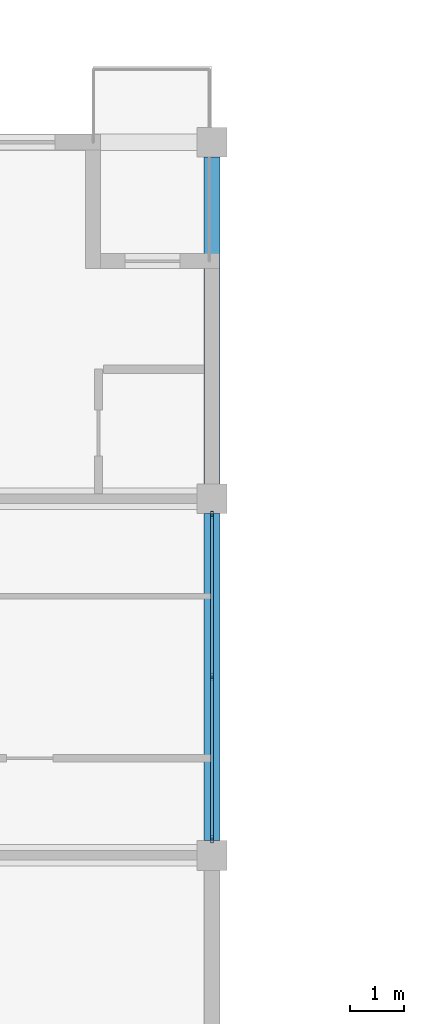
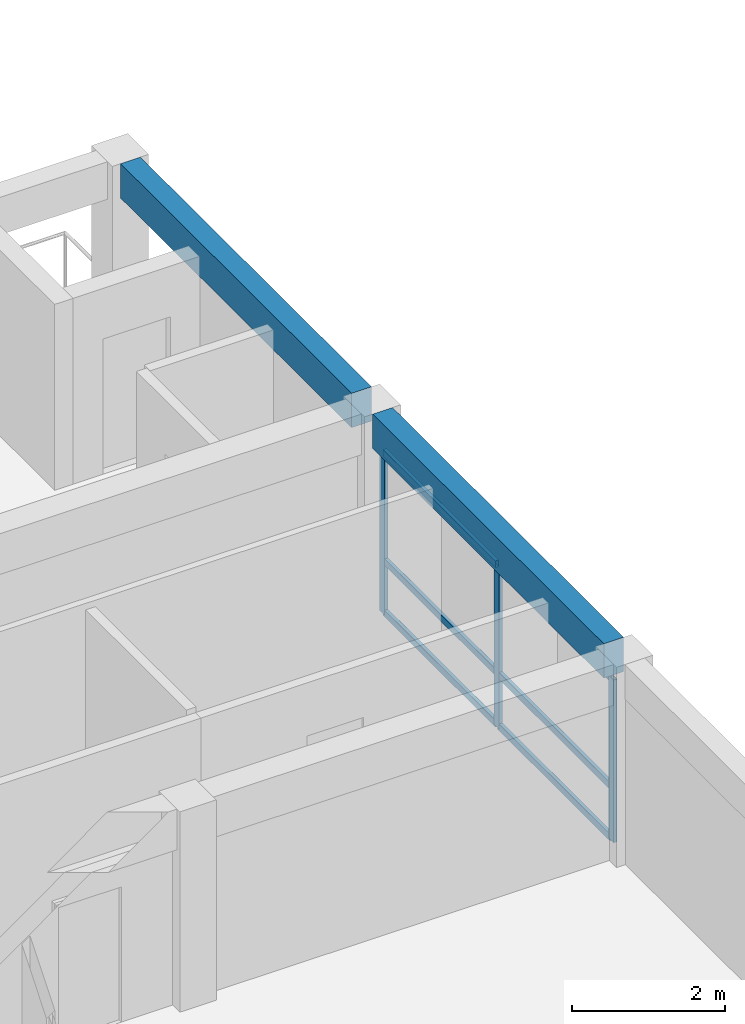
# One storey, part 17 of 49: 9 members, 2 beams, 1 element without a shape of its own.
"""IFC4 building model written with IfcOpenShell, lengths in metres."""

from ifc_helpers import new_model, si_unit, direction, frame, origin, origin_2d, place, context, subcontext, project, spatial, rectangle, hollow_rectangle, extrude, material, material_profile, profile_set, type_object, element, aggregate, save


model = new_model("IFC4")

# Units and contexts
model_context = context("Model", 3, precision=1e-05, world=origin(), true_north=direction((0.0, 1.0)))
body_context = subcontext(model_context, "Body", "Model", "MODEL_VIEW")
ifc_project = project(units=[si_unit("LENGTHUNIT", "METRE"), si_unit("AREAUNIT", "SQUARE_METRE"), si_unit("VOLUMEUNIT", "CUBIC_METRE"), si_unit("PLANEANGLEUNIT", "RADIAN"), si_unit("MASSUNIT", "GRAM", prefix="KILO")], contexts=[model_context])

# Site, building, storey
site_placement = place(None, origin())
site = spatial("IfcSite", under=ifc_project, at=site_placement, CompositionType="ELEMENT")
building_placement = place(site_placement, origin())
building = spatial("IfcBuilding", under=site, at=building_placement, Name="Kernevlak Ridge Housing Community", CompositionType="ELEMENT")
storey_placement = place(building_placement, frame((0.0, 0.0, 30.800048828125)))
storey = spatial("IfcBuildingStorey", under=building, at=storey_placement, Name="L09", CompositionType="ELEMENT", Elevation=30.800048828125)

# Curtain wall, members
ifc_material_1 = material(Name="Aluminium EN AW-6060 anodised and laminated glass", Category="aluminium")
curtain_wall_type = type_object("IfcCurtainWallType", Name="CW-11", PredefinedType="NOTDEFINED", material=ifc_material_1)
curtain_wall_placement = place(storey_placement, origin())
curtain_wall = element("IfcCurtainWall", 1, at=curtain_wall_placement, inside=storey, type_object=curtain_wall_type, Name="Curtain wall CW-11 CW-L09-030", PredefinedType="NOTDEFINED")
ifc_material_2 = material(Name="Aluminium EN AW-6060 anodised", Category="aluminium")
ifc_material_profile_1 = material_profile(ifc_material_2, hollow_rectangle(XDim=0.054931640625, YDim=0.139892578125, WallThickness=0.00390625, InnerFilletRadius=0.001953125, OuterFilletRadius=0.00390625, at=origin_2d()), Name="ALU 55x140x4")
ifc_profile_set_1 = profile_set([ifc_material_profile_1], Name="Aluminium EN AW-6060 anodised")
member_type_1 = type_object("IfcMemberType", Name="MU-01", PredefinedType="MULLION", material=ifc_profile_set_1)
member_1_placement = place(storey_placement, frame((48.60009765625, 82.902587890625, 0.0), z_axis=(0.0, 0.0, 1.0), x_axis=(-1.0, 0.0, 0.0)))
member_1 = element("IfcMember", 2, at=member_1_placement, type_object=member_type_1, Name="CW-11 mullion 1", PredefinedType="MULLION", context=body_context, shape_type="SweptSolid", body=[
    extrude(hollow_rectangle(XDim=0.054931640625, YDim=0.139892578125, WallThickness=0.00390625, InnerFilletRadius=0.001953125, OuterFilletRadius=0.00390625, at=origin_2d()), origin(), (0.0, 0.0, 1.0), 2.599853515625),
])
member_2_placement = place(storey_placement, frame((48.60009765625, 85.89990234375, 0.0), z_axis=(0.0, 0.0, 1.0), x_axis=(-1.0, 0.0, 0.0)))
member_2 = element("IfcMember", 3, at=member_2_placement, type_object=member_type_1, Name="CW-11 mullion 2", PredefinedType="MULLION", context=body_context, shape_type="SweptSolid", body=[
    extrude(hollow_rectangle(XDim=0.054931640625, YDim=0.139892578125, WallThickness=0.00390625, InnerFilletRadius=0.001953125, OuterFilletRadius=0.00390625, at=origin_2d()), origin(), (0.0, 0.0, 1.0), 2.599853515625),
])
member_3_placement = place(storey_placement, frame((48.60009765625, 88.8974609375, 0.0), z_axis=(0.0, 0.0, 1.0), x_axis=(-1.0, 0.0, 0.0)))
member_3 = element("IfcMember", 4, at=member_3_placement, type_object=member_type_1, Name="CW-11 mullion 3", PredefinedType="MULLION", context=body_context, shape_type="SweptSolid", body=[
    extrude(hollow_rectangle(XDim=0.054931640625, YDim=0.139892578125, WallThickness=0.00390625, InnerFilletRadius=0.001953125, OuterFilletRadius=0.00390625, at=origin_2d()), origin(), (0.0, 0.0, 1.0), 2.599853515625),
])

# Beams
ifc_material_3 = material(Name="Concrete C35/45", Category="concrete")
ifc_material_profile_2 = material_profile(ifc_material_3, rectangle(XDim=0.300048828125, YDim=0.550048828125, at=origin_2d()), Name="RC 300x550")
ifc_profile_set_2 = profile_set([ifc_material_profile_2], Name="Concrete C35/45")
beam_type = type_object("IfcBeamType", Name="SP-01", PredefinedType="SPANDREL", material=ifc_profile_set_2)
beam_1_placement = place(storey_placement, frame((48.60009765625, 82.875, 2.925048828125), z_axis=(0.0, 1.0, 0.0), x_axis=(-1.0, 0.0, 0.0)))
element("IfcBeam", 5, at=beam_1_placement, inside=storey, type_object=beam_type, Name="Beam SP-01 L09 315", PredefinedType="SPANDREL", context=body_context, shape_type="SweptSolid", body=[
    extrude(rectangle(XDim=0.300048828125, YDim=0.550048828125, at=origin_2d()), origin(), (0.0, 0.0, 1.0), 6.050048828125),
])
beam_2_placement = place(storey_placement, frame((48.60009765625, 89.47509765625, 2.925048828125), z_axis=(0.0, 1.0, 0.0), x_axis=(-1.0, 0.0, 0.0)))
element("IfcBeam", 6, at=beam_2_placement, inside=storey, type_object=beam_type, Name="Beam SP-01 L09 316", PredefinedType="SPANDREL", context=body_context, shape_type="SweptSolid", body=[
    extrude(rectangle(XDim=0.300048828125, YDim=0.550048828125, at=origin_2d()), origin(), (0.0, 0.0, 1.0), 6.0498046875),
])

# Member
ifc_material_profile_3 = material_profile(ifc_material_2, hollow_rectangle(XDim=0.054931640625, YDim=0.110107421875, WallThickness=0.00390625, InnerFilletRadius=0.001953125, OuterFilletRadius=0.00390625, at=origin_2d()), Name="ALU 55x110x4")
ifc_profile_set_3 = profile_set([ifc_material_profile_3], Name="Aluminium EN AW-6060 anodised")
member_type_2 = type_object("IfcMemberType", Name="TM-01", PredefinedType="USERDEFINED", material=ifc_profile_set_3)
member_4_placement = place(storey_placement, frame((48.60009765625, 82.929931640625, 0.02734375), z_axis=(0.0, 1.0, 0.0), x_axis=(-1.0, 0.0, 0.0)))
member_4 = element("IfcMember", 7, at=member_4_placement, type_object=member_type_2, Name="CW-11 transom 1.1", ObjectType="TRANSOM", PredefinedType="USERDEFINED", context=body_context, shape_type="SweptSolid", body=[
    extrude(hollow_rectangle(XDim=0.054931640625, YDim=0.110107421875, WallThickness=0.00390625, InnerFilletRadius=0.001953125, OuterFilletRadius=0.00390625, at=origin_2d()), origin(), (0.0, 0.0, 1.0), 2.942626953125),
])

member_5_placement = place(storey_placement, frame((48.60009765625, 82.929931640625, 0.849853515625), z_axis=(0.0, 1.0, 0.0), x_axis=(-1.0, 0.0, 0.0)))
member_5 = element("IfcMember", 8, at=member_5_placement, type_object=member_type_2, Name="CW-11 transom 1.2", ObjectType="TRANSOM", PredefinedType="USERDEFINED", context=body_context, shape_type="SweptSolid", body=[
    extrude(hollow_rectangle(XDim=0.054931640625, YDim=0.110107421875, WallThickness=0.00390625, InnerFilletRadius=0.001953125, OuterFilletRadius=0.00390625, at=origin_2d()), origin(), (0.0, 0.0, 1.0), 2.942626953125),
])

member_6_placement = place(storey_placement, frame((48.60009765625, 82.929931640625, 2.572509765625), z_axis=(0.0, 1.0, 0.0), x_axis=(-1.0, 0.0, 0.0)))
member_6 = element("IfcMember", 9, at=member_6_placement, type_object=member_type_2, Name="CW-11 transom 1.3", ObjectType="TRANSOM", PredefinedType="USERDEFINED", context=body_context, shape_type="SweptSolid", body=[
    extrude(hollow_rectangle(XDim=0.054931640625, YDim=0.110107421875, WallThickness=0.00390625, InnerFilletRadius=0.001953125, OuterFilletRadius=0.00390625, at=origin_2d()), origin(), (0.0, 0.0, 1.0), 2.942626953125),
])

member_7_placement = place(storey_placement, frame((48.60009765625, 85.927490234375, 0.02734375), z_axis=(0.0, 1.0, 0.0), x_axis=(-1.0, 0.0, 0.0)))
member_7 = element("IfcMember", 10, at=member_7_placement, type_object=member_type_2, Name="CW-11 transom 2.1", ObjectType="TRANSOM", PredefinedType="USERDEFINED", context=body_context, shape_type="SweptSolid", body=[
    extrude(hollow_rectangle(XDim=0.054931640625, YDim=0.110107421875, WallThickness=0.00390625, InnerFilletRadius=0.001953125, OuterFilletRadius=0.00390625, at=origin_2d()), origin(), (0.0, 0.0, 1.0), 2.942626953125),
])

member_8_placement = place(storey_placement, frame((48.60009765625, 85.927490234375, 0.849853515625), z_axis=(0.0, 1.0, 0.0), x_axis=(-1.0, 0.0, 0.0)))
member_8 = element("IfcMember", 11, at=member_8_placement, type_object=member_type_2, Name="CW-11 transom 2.2", ObjectType="TRANSOM", PredefinedType="USERDEFINED", context=body_context, shape_type="SweptSolid", body=[
    extrude(hollow_rectangle(XDim=0.054931640625, YDim=0.110107421875, WallThickness=0.00390625, InnerFilletRadius=0.001953125, OuterFilletRadius=0.00390625, at=origin_2d()), origin(), (0.0, 0.0, 1.0), 2.942626953125),
])

member_9_placement = place(storey_placement, frame((48.60009765625, 85.927490234375, 2.572509765625), z_axis=(0.0, 1.0, 0.0), x_axis=(-1.0, 0.0, 0.0)))
member_9 = element("IfcMember", 12, at=member_9_placement, type_object=member_type_2, Name="CW-11 transom 2.3", ObjectType="TRANSOM", PredefinedType="USERDEFINED", context=body_context, shape_type="SweptSolid", body=[
    extrude(hollow_rectangle(XDim=0.054931640625, YDim=0.110107421875, WallThickness=0.00390625, InnerFilletRadius=0.001953125, OuterFilletRadius=0.00390625, at=origin_2d()), origin(), (0.0, 0.0, 1.0), 2.942626953125),
])

aggregate(curtain_wall, [member_1, member_2, member_3, member_4, member_5, member_6, member_7, member_8, member_9])

save(model, "model.ifc")
